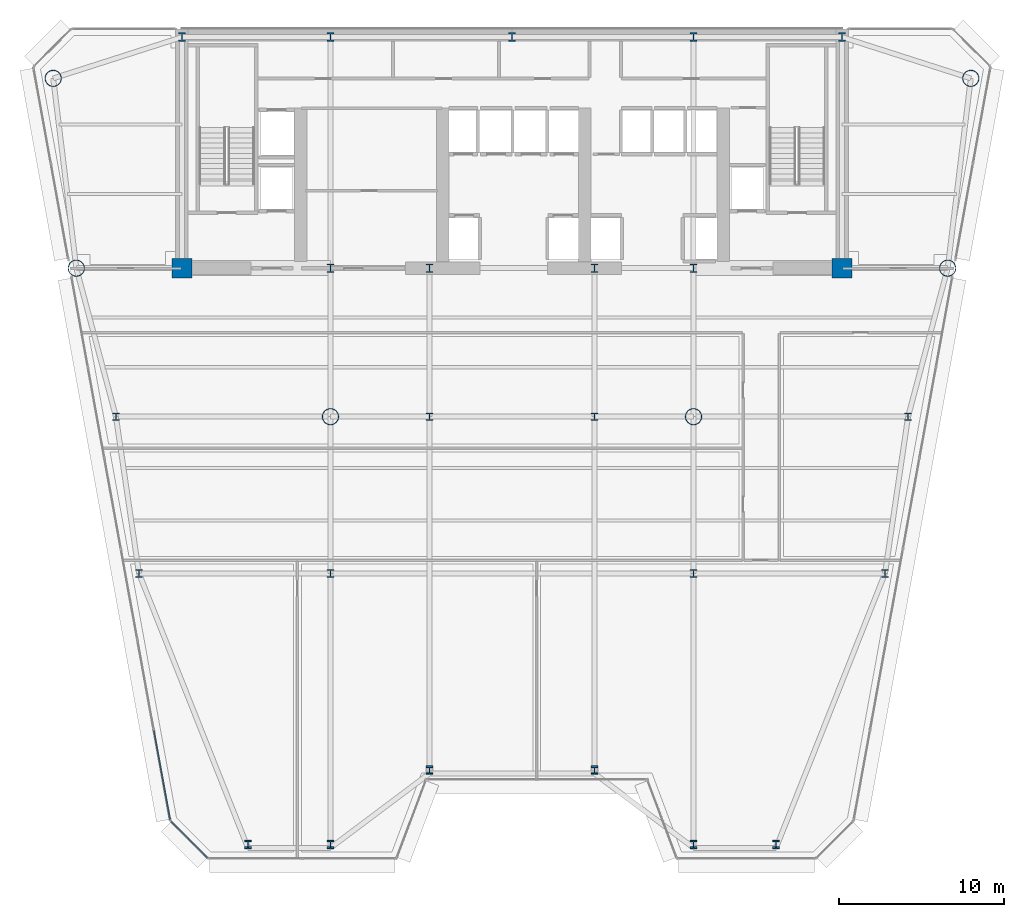
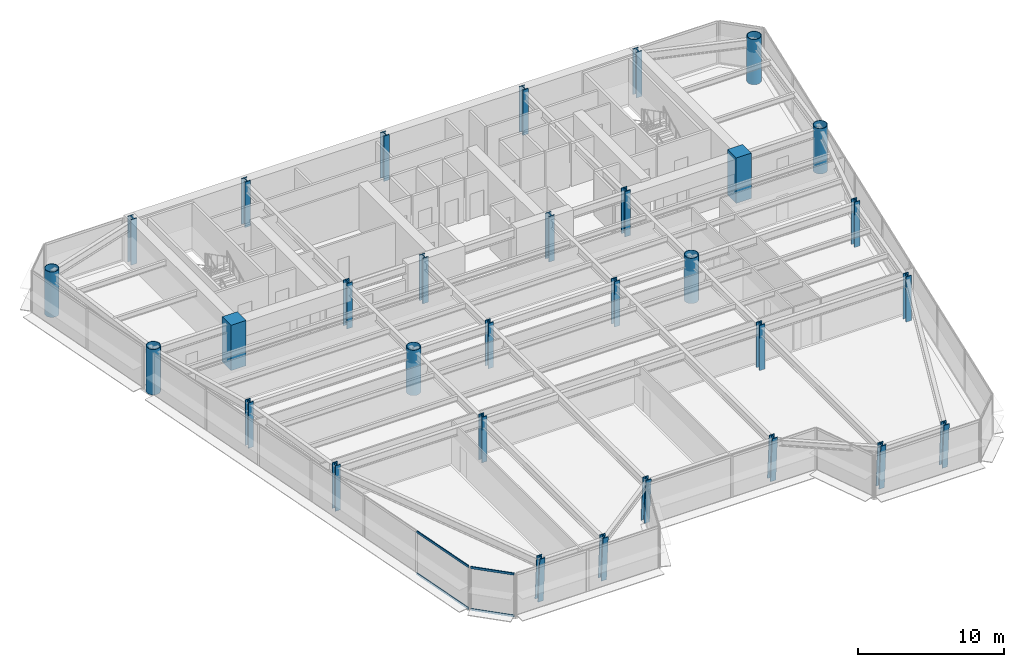
# One storey, part 1 of 14: 31 columns, 4 members, 2 elements without a shape of their own.
"""IFC4 building model written with IfcOpenShell, lengths in metres."""

from ifc_helpers import new_model, si_unit, direction, frame, origin, origin_2d, place, context, subcontext, project, spatial, rectangle, hollow_circle, i_section, extrude, source, transform, mapped, material, layer, layer_set, material_profile, profile_set, type_object, element, aggregate, save


model = new_model("IFC4")

# Units and contexts
model_context = context("Model", 3, precision=1e-05, world=origin(), true_north=direction((0.0, 1.0)))
body_context = subcontext(model_context, "Body", "Model", "MODEL_VIEW")
ifc_project = project(units=[si_unit("LENGTHUNIT", "METRE"), si_unit("AREAUNIT", "SQUARE_METRE"), si_unit("VOLUMEUNIT", "CUBIC_METRE"), si_unit("PLANEANGLEUNIT", "RADIAN"), si_unit("MASSUNIT", "GRAM", prefix="KILO")], contexts=[model_context])

# Site, building, storey
site_placement = place(None, origin())
site = spatial("IfcSite", under=ifc_project, at=site_placement, CompositionType="ELEMENT")
building_placement = place(site_placement, origin())
building = spatial("IfcBuilding", under=site, at=building_placement, Name="Vaeldorn Concourse Tower", CompositionType="ELEMENT")
storey_placement = place(building_placement, frame((0.0, 0.0, 133.800048828125)))
storey = spatial("IfcBuildingStorey", under=building, at=storey_placement, Name="L34", CompositionType="ELEMENT", Elevation=133.800048828125)

# Columns
ifc_material_1 = material(Name="Concrete C50/60", Category="concrete")
ifc_material_profile_1 = material_profile(ifc_material_1, rectangle(XDim=1.199951171875, YDim=1.199951171875, at=origin_2d()), Name="RC 1200x1200")
ifc_profile_set_1 = profile_set([ifc_material_profile_1], Name="Concrete C50/60")
column_type_1 = type_object("IfcColumnType", Name="COL-RC1200", PredefinedType="COLUMN", material=ifc_profile_set_1)
shared_shape_1 = source(origin(), body_context, "Body", "SweptSolid", [
    extrude(rectangle(XDim=1.199951171875, YDim=1.199951171875, at=origin_2d()), origin(), (0.0, 0.0, 1.0), 3.800048828125),
])
for number, where, z_axis, x_axis, name in (
    (1, (14.0, 36.5, 0.0), (0.0, 0.0, 1.0), (1.0, 0.0, 0.0), "Column C-FC1 L34"),
    (2, (54.0, 36.5, 0.0), (0.0, 0.0, 1.0), (1.0, 0.0, 0.0), "Column C-FC6 L34"),
):
    element("IfcColumn", number, at=place(storey_placement, frame(where, z_axis=z_axis, x_axis=x_axis)), inside=storey, type_object=column_type_1, Name=name, PredefinedType="COLUMN", context=body_context, shape_type="MappedRepresentation", body=[
        mapped(shared_shape_1, transform((0.0, 0.0, 0.0), scale=1.0)),
    ])
ifc_material_2 = material(Name="Steel S460", Category="steel")
ifc_material_profile_2 = material_profile(ifc_material_2, i_section(OverallWidth=0.44189453125, OverallDepth=0.531005859375, WebThickness=0.06494140625, FlangeThickness=0.075927734375, FilletRadius=0.014892578125, at=origin_2d()), Name="HD 400x900")
ifc_profile_set_2 = profile_set([ifc_material_profile_2], Name="Steel S460")
column_type_2 = type_object("IfcColumnType", Name="COL-HD900", PredefinedType="COLUMN", material=ifc_profile_set_2)
shared_shape_2 = source(origin(), body_context, "Body", "SweptSolid", [
    extrude(i_section(OverallWidth=0.44189453125, OverallDepth=0.531005859375, WebThickness=0.06494140625, FlangeThickness=0.075927734375, FilletRadius=0.014892578125, at=origin_2d()), origin(), (0.0, 0.0, 1.0), 3.800048828125),
])
for number, where, z_axis, x_axis, name in (
    (3, (23.0, 36.5, 0.0), (0.0, 0.0, 1.0), (1.0, 0.0, 0.0), "Column C-FC2 L34"),
    (4, (29.0, 36.5, 0.0), (0.0, 0.0, 1.0), (1.0, 0.0, 0.0), "Column C-FC3 L34"),
    (5, (39.0, 36.5, 0.0), (0.0, 0.0, 1.0), (1.0, 0.0, 0.0), "Column C-FC4 L34"),
    (6, (45.0, 36.5, 0.0), (0.0, 0.0, 1.0), (1.0, 0.0, 0.0), "Column C-FC5 L34"),
    (7, (14.0, 50.5, 0.0), (0.0, 0.0, 1.0), (1.0, 0.0, 0.0), "Column C-HC1 L34"),
    (8, (23.0, 50.5, 0.0), (0.0, 0.0, 1.0), (1.0, 0.0, 0.0), "Column C-HC2 L34"),
    (9, (34.0, 50.5, 0.0), (0.0, 0.0, 1.0), (1.0, 0.0, 0.0), "Column C-HC3 L34"),
    (10, (45.0, 50.5, 0.0), (0.0, 0.0, 1.0), (1.0, 0.0, 0.0), "Column C-HC4 L34"),
    (11, (54.0, 50.5, 0.0), (0.0, 0.0, 1.0), (1.0, 0.0, 0.0), "Column C-HC5 L34"),
):
    element("IfcColumn", number, at=place(storey_placement, frame(where, z_axis=z_axis, x_axis=x_axis)), inside=storey, type_object=column_type_2, Name=name, PredefinedType="COLUMN", context=body_context, shape_type="MappedRepresentation", body=[
        mapped(shared_shape_2, transform((0.0, 0.0, 0.0), scale=1.0)),
    ])
ifc_material_profile_3 = material_profile(ifc_material_2, hollow_circle(Radius=0.508056640625, WallThickness=0.044921875, at=origin_2d()), Name="CHS 1016x45")
ifc_profile_set_3 = profile_set([ifc_material_profile_3], Name="Steel S460")
column_type_3 = type_object("IfcColumnType", Name="COL-CHS1016", PredefinedType="COLUMN", material=ifc_profile_set_3)
shared_shape_3 = source(origin(), body_context, "Body", "SweptSolid", [
    extrude(hollow_circle(Radius=0.508056640625, WallThickness=0.044921875, at=origin_2d()), origin(), (0.0, 0.0, 1.0), 3.800048828125),
])
for number, where, z_axis, x_axis, name in (
    (12, (6.199951171875, 48.0, 0.0), (0.0, 0.0, 1.0), (1.0, 0.0, 0.0), "Column C-NW1 L34"),
    (13, (7.60009765625, 36.5, 0.0), (0.0, 0.0, 1.0), (1.0, 0.0, 0.0), "Column C-NW2 L34"),
    (14, (61.800048828125, 48.0, 0.0), (0.0, 0.0, 1.0), (1.0, 0.0, 0.0), "Column C-NE1 L34"),
    (15, (60.39990234375, 36.5, 0.0), (0.0, 0.0, 1.0), (1.0, 0.0, 0.0), "Column C-NE2 L34"),
    (16, (23.0, 27.5, 0.0), (0.0, 0.0, 1.0), (1.0, 0.0, 0.0), "Column C-TW1 L34"),
    (17, (45.0, 27.5, 0.0), (0.0, 0.0, 1.0), (1.0, 0.0, 0.0), "Column C-TW4 L34"),
):
    element("IfcColumn", number, at=place(storey_placement, frame(where, z_axis=z_axis, x_axis=x_axis)), inside=storey, type_object=column_type_3, Name=name, PredefinedType="COLUMN", context=body_context, shape_type="MappedRepresentation", body=[
        mapped(shared_shape_3, transform((0.0, 0.0, 0.0), scale=1.0)),
    ])
ifc_material_profile_4 = material_profile(ifc_material_2, i_section(OverallWidth=0.424072265625, OverallDepth=0.47412109375, WebThickness=0.047119140625, FlangeThickness=0.06494140625, FilletRadius=0.014892578125, at=origin_2d()), Name="HD 400x634")
ifc_profile_set_4 = profile_set([ifc_material_profile_4], Name="Steel S460")
column_type_4 = type_object("IfcColumnType", Name="COL-HD634F", PredefinedType="COLUMN", material=ifc_profile_set_4)
shared_shape_4 = source(origin(), body_context, "Body", "SweptSolid", [
    extrude(i_section(OverallWidth=0.424072265625, OverallDepth=0.47412109375, WebThickness=0.047119140625, FlangeThickness=0.06494140625, FilletRadius=0.014892578125, at=origin_2d()), origin(), (0.0, 0.0, 1.0), 3.800048828125),
])
for number, where, z_axis, x_axis, name in (
    (18, (10.0, 27.5, 0.0), (0.0, 0.0, 1.0), (1.0, 0.0, 0.0), "Column C-FLW1 L34"),
    (19, (11.39990234375, 18.0, 0.0), (0.0, 0.0, 1.0), (1.0, 0.0, 0.0), "Column C-FLW2 L34"),
    (20, (58.0, 27.5, 0.0), (0.0, 0.0, 1.0), (1.0, 0.0, 0.0), "Column C-FLE1 L34"),
    (21, (56.60009765625, 18.0, 0.0), (0.0, 0.0, 1.0), (1.0, 0.0, 0.0), "Column C-FLE2 L34"),
):
    element("IfcColumn", number, at=place(storey_placement, frame(where, z_axis=z_axis, x_axis=x_axis)), inside=storey, type_object=column_type_4, Name=name, PredefinedType="COLUMN", context=body_context, shape_type="MappedRepresentation", body=[
        mapped(shared_shape_4, transform((0.0, 0.0, 0.0), scale=1.0)),
    ])
ifc_material_profile_5 = material_profile(ifc_material_2, i_section(OverallWidth=0.424072265625, OverallDepth=0.47412109375, WebThickness=0.047119140625, FlangeThickness=0.06494140625, FilletRadius=0.014892578125, at=origin_2d()), Name="HD 400x634")
ifc_profile_set_5 = profile_set([ifc_material_profile_5], Name="Steel S460")
column_type_5 = type_object("IfcColumnType", Name="COL-HD634T", PredefinedType="COLUMN", material=ifc_profile_set_5)
shared_shape_5 = source(origin(), body_context, "Body", "SweptSolid", [
    extrude(i_section(OverallWidth=0.424072265625, OverallDepth=0.47412109375, WebThickness=0.047119140625, FlangeThickness=0.06494140625, FilletRadius=0.014892578125, at=origin_2d()), origin(), (0.0, 0.0, 1.0), 3.800048828125),
])
for number, where, z_axis, x_axis, name in (
    (22, (29.0, 27.5, 0.0), (0.0, 0.0, 1.0), (1.0, 0.0, 0.0), "Column C-TW2 L34"),
    (23, (39.0, 27.5, 0.0), (0.0, 0.0, 1.0), (1.0, 0.0, 0.0), "Column C-TW3 L34"),
    (24, (23.0, 18.0, 0.0), (0.0, 0.0, 1.0), (1.0, 0.0, 0.0), "Column C-TW5 L34"),
    (25, (45.0, 18.0, 0.0), (0.0, 0.0, 1.0), (1.0, 0.0, 0.0), "Column C-TW6 L34"),
):
    element("IfcColumn", number, at=place(storey_placement, frame(where, z_axis=z_axis, x_axis=x_axis)), inside=storey, type_object=column_type_5, Name=name, PredefinedType="COLUMN", context=body_context, shape_type="MappedRepresentation", body=[
        mapped(shared_shape_5, transform((0.0, 0.0, 0.0), scale=1.0)),
    ])
shared_shape_6 = source(origin(), body_context, "Body", "SweptSolid", [
    extrude(i_section(OverallWidth=0.424072265625, OverallDepth=0.47412109375, WebThickness=0.047119140625, FlangeThickness=0.06494140625, FilletRadius=0.014892578125, at=origin_2d()), origin(), (0.0, 0.0, 1.0), 3.74365234375),
])
for number, where, z_axis, x_axis, name in (
    (26, (18.0, 1.6171875, 0.031982421875), (0.0, -0.063843869911, 0.997959899132), (1.0, 0.0, 0.0), "Column C-SF1 L34"),
    (27, (23.0, 1.6171875, 0.031982421875), (0.0, -0.063843869911, 0.997959899132), (1.0, 0.0, 0.0), "Column C-SF2 L34"),
    (28, (29.0, 6.1171875, 0.031982421875), (0.0, -0.063843869911, 0.997959899132), (1.0, 0.0, 0.0), "Column C-SF3 L34"),
    (29, (39.0, 6.1171875, 0.031982421875), (0.0, -0.063843869911, 0.997959899132), (1.0, 0.0, 0.0), "Column C-SF4 L34"),
    (30, (45.0, 1.6171875, 0.031982421875), (0.0, -0.063843869911, 0.997959899132), (1.0, 0.0, 0.0), "Column C-SF5 L34"),
    (31, (50.0, 1.6171875, 0.031982421875), (0.0, -0.063843869911, 0.997959899132), (1.0, 0.0, 0.0), "Column C-SF6 L34"),
):
    element("IfcColumn", number, at=place(storey_placement, frame(where, z_axis=z_axis, x_axis=x_axis)), inside=storey, type_object=column_type_5, Name=name, PredefinedType="COLUMN", context=body_context, shape_type="MappedRepresentation", body=[
        mapped(shared_shape_6, transform((0.0, 0.0, 0.0), scale=1.0)),
    ])

# Curtain wall, members
ifc_material_3 = material(Name="Anodised Bronze Aluminium", Category="aluminium")
ifc_layer = layer(ifc_material_3, 0.199951171875)
ifc_layer_set = layer_set([ifc_layer], Name="Anodised Bronze Aluminium")
curtain_wall_type = type_object("IfcCurtainWallType", Name="CW-SYS-02", PredefinedType="NOTDEFINED", material=ifc_layer_set)
curtain_wall_1_placement = place(storey_placement, origin())
curtain_wall_1 = element("IfcCurtainWall", 32, at=curtain_wall_1_placement, inside=storey, type_object=curtain_wall_type, Name="Unitised Curtain Wall CW-L34-E12-1", PredefinedType="NOTDEFINED")
ifc_material_profile_6 = material_profile(ifc_material_3, rectangle(XDim=0.074951171875, YDim=0.179931640625, at=origin_2d()), Name="CWT 75x180")
ifc_profile_set_6 = profile_set([ifc_material_profile_6], Name="Anodised Bronze Aluminium")
member_type = type_object("IfcMemberType", Name="CWT-BRONZE-180", PredefinedType="USERDEFINED", material=ifc_profile_set_6)
shared_shape_7 = source(origin(), body_context, "Body", "SweptSolid", [
    extrude(rectangle(XDim=0.074951171875, YDim=0.179931640625, at=origin_2d()), origin(), (0.0, 0.0, 1.0), 3.1025390625),
])
member_1_placement = place(storey_placement, frame((13.349853515625, 2.964111328125, 0.037353515625), z_axis=(0.707106781187, -0.707106781187, 0.0), x_axis=(0.707106781187, 0.707106781187, 0.0)))
member_1 = element("IfcMember", 33, at=member_1_placement, type_object=member_type, Name="CW-02 transom 1.1", ObjectType="TRANSOM", PredefinedType="USERDEFINED", context=body_context, shape_type="MappedRepresentation", body=[
    mapped(shared_shape_7, transform((0.0, 0.0, 0.0), scale=1.0)),
])
member_2_placement = place(storey_placement, frame((13.349853515625, 2.964111328125, 3.54248046875), z_axis=(0.707106781187, -0.707106781187, 0.0), x_axis=(0.707106781187, 0.707106781187, 0.0)))
member_2 = element("IfcMember", 34, at=member_2_placement, type_object=member_type, Name="CW-02 transom 1.2", ObjectType="TRANSOM", PredefinedType="USERDEFINED", context=body_context, shape_type="MappedRepresentation", body=[
    mapped(shared_shape_7, transform((0.0, 0.0, 0.0), scale=1.0)),
])
aggregate(curtain_wall_1, [member_1, member_2])

curtain_wall_2_placement = place(storey_placement, origin())
curtain_wall_2 = element("IfcCurtainWall", 35, at=curtain_wall_2_placement, inside=storey, type_object=curtain_wall_type, Name="Unitised Curtain Wall CW-L34-E11-2", PredefinedType="NOTDEFINED")
shared_shape_8 = source(origin(), body_context, "Body", "SweptSolid", [
    extrude(rectangle(XDim=0.074951171875, YDim=0.179931640625, at=origin_2d()), origin(), (0.0, 0.0, 1.0), 5.471435546875),
])
member_3_placement = place(storey_placement, frame((12.3056640625, 8.474365234375, 0.037353515625), z_axis=(0.178665537686, -0.983909866626, 0.0), x_axis=(0.983909866626, 0.178665537686, 0.0)))
member_3 = element("IfcMember", 36, at=member_3_placement, type_object=member_type, Name="CW-02 transom 6.1", ObjectType="TRANSOM", PredefinedType="USERDEFINED", context=body_context, shape_type="MappedRepresentation", body=[
    mapped(shared_shape_8, transform((0.0, 0.0, 0.0), scale=1.0)),
])
member_4_placement = place(storey_placement, frame((12.3056640625, 8.474365234375, 3.54248046875), z_axis=(0.178665537686, -0.983909866626, 0.0), x_axis=(0.983909866626, 0.178665537686, 0.0)))
member_4 = element("IfcMember", 37, at=member_4_placement, type_object=member_type, Name="CW-02 transom 6.2", ObjectType="TRANSOM", PredefinedType="USERDEFINED", context=body_context, shape_type="MappedRepresentation", body=[
    mapped(shared_shape_8, transform((0.0, 0.0, 0.0), scale=1.0)),
])
aggregate(curtain_wall_2, [member_3, member_4])

save(model, "model.ifc")
